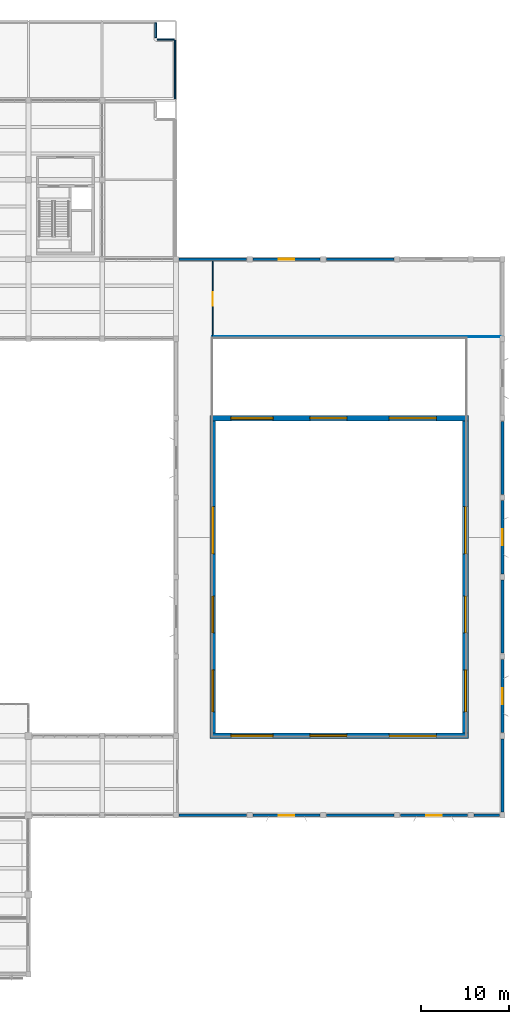
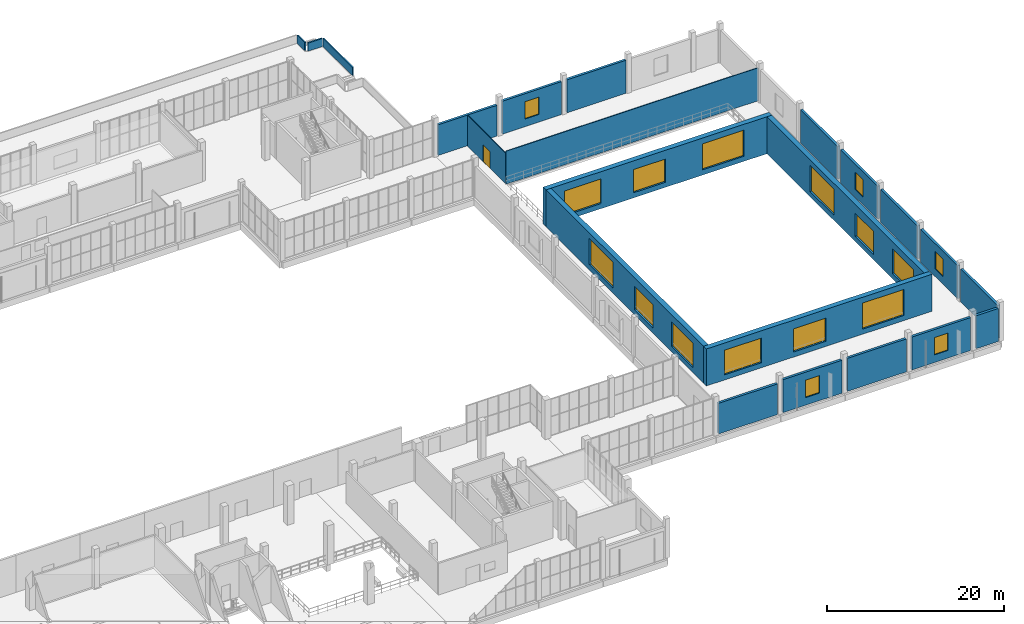
# One storey, part 117 of 132: 22 walls, 17 windows, 1 door, 18 openings.
"""IFC4 building model written with IfcOpenShell, lengths in metres."""

from ifc_helpers import new_model, si_unit, direction, frame, frame_2d, origin, place, context, subcontext, project, spatial, rectangle, extrude, material, layer, layer_set, type_object, element, fill, save


model = new_model("IFC4")

# Units and contexts
model_context = context("Model", 3, precision=1e-05, world=origin(), true_north=direction((0.0, 1.0)))
body_context = subcontext(model_context, "Body", "Model", "MODEL_VIEW")
ifc_project = project(units=[si_unit("LENGTHUNIT", "METRE"), si_unit("AREAUNIT", "SQUARE_METRE"), si_unit("VOLUMEUNIT", "CUBIC_METRE"), si_unit("PLANEANGLEUNIT", "RADIAN"), si_unit("MASSUNIT", "GRAM", prefix="KILO")], contexts=[model_context])

# Site, building, storey
site_placement = place(None, origin())
site = spatial("IfcSite", under=ifc_project, at=site_placement, CompositionType="ELEMENT")
building_placement = place(site_placement, origin())
building = spatial("IfcBuilding", under=site, at=building_placement, Name="Khurvash Pelagic Aquarium", CompositionType="ELEMENT")
storey_placement = place(building_placement, frame((0.0, 0.0, 5.39990234375)))
storey = spatial("IfcBuildingStorey", under=building, at=storey_placement, Name="L01", CompositionType="ELEMENT", Elevation=5.39990234375)

# Wall
ifc_material_1 = material(Name="Precast concrete C40/50", Category="concrete")
ifc_layer_1 = layer(ifc_material_1, 0.320068359375)
ifc_layer_set_1 = layer_set([ifc_layer_1], Name="Precast concrete C40/50")
wall_type_1 = type_object("IfcWallType", Name="EW-320", PredefinedType="STANDARD", material=ifc_layer_set_1)
wall_1_placement = place(storey_placement, frame((163.199951171875, 21.06005859375, 0.0), z_axis=(0.0, 0.0, 1.0), x_axis=(0.0, 1.0, 0.0)))
element("IfcWall", 1, at=wall_1_placement, inside=storey, type_object=wall_type_1, Name="L01 Ocean Tank Hall East Containment Wall EW-320 B1", PredefinedType="STANDARD", context=body_context, shape_type="SweptSolid", body=[
    extrude(rectangle(XDim=8.329833984375, YDim=0.320068359375, at=frame_2d((4.1650390625, 0.0))), origin(), (0.0, 0.0, 1.0), 4.550048828125),
])

# Wall, opening, window
wall_2_placement = place(storey_placement, frame((163.199951171875, 30.110107421875, 0.0), z_axis=(0.0, 0.0, 1.0), x_axis=(0.0, 1.0, 0.0)))
wall_2 = element("IfcWall", 2, at=wall_2_placement, inside=storey, type_object=wall_type_1, Name="L01 Ocean Tank Hall East Containment Wall EW-320 B2", PredefinedType="STANDARD", context=body_context, shape_type="SweptSolid", body=[
    extrude(rectangle(XDim=8.329833984375, YDim=0.320068359375, at=frame_2d((4.1650390625, 0.0))), origin(), (0.0, 0.0, 1.0), 4.550048828125),
])
opening_1_placement = place(wall_2_placement, frame((3.264892578125, 0.0, 1.050048828125)))
opening_1 = element("IfcOpeningElement", 3, at=opening_1_placement, cuts=wall_2, Name="Opening WN-01", PredefinedType="OPENING", context=body_context, shape_type="SweptSolid", body=[
    extrude(rectangle(XDim=1.800048828125, YDim=2.39990234375, at=frame_2d((0.89990234375, 1.199951171875))), frame((0.0, 0.169921875, 0.0), z_axis=(0.0, -1.0, 0.0), x_axis=(1.0, 0.0, 0.0)), (0.0, 0.0, 1.0), 0.340087890625),
])
ifc_material_2 = material(Name="Thermally broken aluminium and low-E glass", Category="aluminium")
window_type_1 = type_object("IfcWindowType", Name="WN-01", PartitioningType="SINGLE_PANEL", PredefinedType="WINDOW", material=ifc_material_2)
window_1_placement = place(opening_1_placement, origin())
window_1 = element("IfcWindow", 4, at=window_1_placement, inside=storey, type_object=window_type_1, Name="L01 Ocean Hall Deep-Set Oceanic Portal Window WN-01", OverallHeight=2.39990234375, OverallWidth=1.800048828125, PartitioningType="SINGLE_PANEL", PredefinedType="WINDOW", context=body_context, shape_type="SweptSolid", body=[
    extrude(rectangle(XDim=1.800048828125, YDim=2.39990234375, at=frame_2d((0.89990234375, 1.199951171875))), frame((0.0, 0.030029296875, 0.0), z_axis=(0.0, -1.0, 0.0), x_axis=(1.0, 0.0, 0.0)), (0.0, 0.0, 1.0), 0.06005859375),
])
fill(opening_1, window_1)

# Wall
wall_3_placement = place(storey_placement, frame((163.199951171875, 39.159912109375, 0.0), z_axis=(0.0, 0.0, 1.0), x_axis=(0.0, 1.0, 0.0)))
element("IfcWall", 5, at=wall_3_placement, inside=storey, type_object=wall_type_1, Name="L01 Ocean Tank Hall East Containment Wall EW-320 B3", PredefinedType="STANDARD", context=body_context, shape_type="SweptSolid", body=[
    extrude(rectangle(XDim=8.330078125, YDim=0.320068359375, at=frame_2d((4.1650390625, 0.0))), origin(), (0.0, 0.0, 1.0), 4.550048828125),
])

# Wall, opening, window
wall_4_placement = place(storey_placement, frame((163.199951171875, 48.2099609375, 0.0), z_axis=(0.0, 0.0, 1.0), x_axis=(0.0, 1.0, 0.0)))
wall_4 = element("IfcWall", 6, at=wall_4_placement, inside=storey, type_object=wall_type_1, Name="L01 Ocean Tank Hall East Containment Wall EW-320 B4", PredefinedType="STANDARD", context=body_context, shape_type="SweptSolid", body=[
    extrude(rectangle(XDim=8.330078125, YDim=0.320068359375, at=frame_2d((4.1650390625, 0.0))), origin(), (0.0, 0.0, 1.0), 4.550048828125),
])
opening_2_placement = place(wall_4_placement, frame((3.264892578125, 0.0, 1.050048828125)))
opening_2 = element("IfcOpeningElement", 7, at=opening_2_placement, cuts=wall_4, Name="Opening WN-01", PredefinedType="OPENING", context=body_context, shape_type="SweptSolid", body=[
    extrude(rectangle(XDim=1.800048828125, YDim=2.39990234375, at=frame_2d((0.89990234375, 1.199951171875))), frame((0.0, 0.169921875, 0.0), z_axis=(0.0, -1.0, 0.0), x_axis=(1.0, 0.0, 0.0)), (0.0, 0.0, 1.0), 0.340087890625),
])
window_2_placement = place(opening_2_placement, origin())
window_2 = element("IfcWindow", 8, at=window_2_placement, inside=storey, type_object=window_type_1, Name="L01 Ocean Hall Deep-Set Oceanic Portal Window WN-01", OverallHeight=2.39990234375, OverallWidth=1.800048828125, PartitioningType="SINGLE_PANEL", PredefinedType="WINDOW", context=body_context, shape_type="SweptSolid", body=[
    extrude(rectangle(XDim=1.800048828125, YDim=2.39990234375, at=frame_2d((0.89990234375, 1.199951171875))), frame((0.0, 0.030029296875, 0.0), z_axis=(0.0, -1.0, 0.0), x_axis=(1.0, 0.0, 0.0)), (0.0, 0.0, 1.0), 0.06005859375),
])
fill(opening_2, window_2)

# Walls
wall_5_placement = place(storey_placement, frame((163.199951171875, 57.260009765625, 0.0), z_axis=(0.0, 0.0, 1.0), x_axis=(0.0, 1.0, 0.0)))
element("IfcWall", 9, at=wall_5_placement, inside=storey, type_object=wall_type_1, Name="L01 Ocean Tank Hall East Containment Wall EW-320 B5", PredefinedType="STANDARD", context=body_context, shape_type="SweptSolid", body=[
    extrude(rectangle(XDim=8.330078125, YDim=0.320068359375, at=frame_2d((4.1650390625, 0.0))), origin(), (0.0, 0.0, 1.0), 4.550048828125),
])
wall_6_placement = place(storey_placement, frame((126.360107421875, 20.699951171875, 0.0), z_axis=(0.0, 0.0, 1.0), x_axis=(1.0, 0.0, 0.0)))
element("IfcWall", 10, at=wall_6_placement, inside=storey, type_object=wall_type_1, Name="L01 Ocean Tank Hall South Containment Wall EW-320 B1.1", PredefinedType="STANDARD", context=body_context, shape_type="SweptSolid", body=[
    extrude(rectangle(XDim=7.679931640625, YDim=0.320068359375, at=frame_2d((3.83984375, 0.0))), origin(), (0.0, 0.0, 1.0), 4.22998046875),
])

# Wall, opening, window
wall_7_placement = place(storey_placement, frame((134.760009765625, 20.699951171875, 0.0), z_axis=(0.0, 0.0, 1.0), x_axis=(1.0, 0.0, 0.0)))
wall_7 = element("IfcWall", 11, at=wall_7_placement, inside=storey, type_object=wall_type_1, Name="L01 Ocean Tank Hall South Containment Wall EW-320 B2.1", PredefinedType="STANDARD", context=body_context, shape_type="SweptSolid", body=[
    extrude(rectangle(XDim=7.679931640625, YDim=0.320068359375, at=frame_2d((3.83984375, 0.0))), origin(), (0.0, 0.0, 1.0), 4.550048828125),
])
opening_3_placement = place(wall_7_placement, frame((2.93994140625, 0.0, 1.050048828125)))
opening_3 = element("IfcOpeningElement", 12, at=opening_3_placement, cuts=wall_7, Name="Opening WN-01", PredefinedType="OPENING", context=body_context, shape_type="SweptSolid", body=[
    extrude(rectangle(XDim=1.800048828125, YDim=2.39990234375, at=frame_2d((0.89990234375, 1.199951171875))), frame((0.0, 0.169921875, 0.0), z_axis=(0.0, -1.0, 0.0), x_axis=(1.0, 0.0, 0.0)), (0.0, 0.0, 1.0), 0.340087890625),
])
window_3_placement = place(opening_3_placement, origin())
window_3 = element("IfcWindow", 13, at=window_3_placement, inside=storey, type_object=window_type_1, Name="L01 Ocean Hall South Viewing Portal Window WN-01", OverallHeight=2.39990234375, OverallWidth=1.800048828125, PartitioningType="SINGLE_PANEL", PredefinedType="WINDOW", context=body_context, shape_type="SweptSolid", body=[
    extrude(rectangle(XDim=1.800048828125, YDim=2.39990234375, at=frame_2d((0.89990234375, 1.199951171875))), frame((0.0, 0.030029296875, 0.0), z_axis=(0.0, -1.0, 0.0), x_axis=(1.0, 0.0, 0.0)), (0.0, 0.0, 1.0), 0.06005859375),
])
fill(opening_3, window_3)

# Wall
wall_8_placement = place(storey_placement, frame((143.159912109375, 20.699951171875, 0.0), z_axis=(0.0, 0.0, 1.0), x_axis=(1.0, 0.0, 0.0)))
element("IfcWall", 14, at=wall_8_placement, inside=storey, type_object=wall_type_1, Name="L01 Ocean Tank Hall South Containment Wall EW-320 B3.1", PredefinedType="STANDARD", context=body_context, shape_type="SweptSolid", body=[
    extrude(rectangle(XDim=7.68017578125, YDim=0.320068359375, at=frame_2d((3.840087890625, 0.0))), origin(), (0.0, 0.0, 1.0), 4.550048828125),
])

# Wall, opening, window
wall_9_placement = place(storey_placement, frame((151.56005859375, 20.699951171875, 0.0), z_axis=(0.0, 0.0, 1.0), x_axis=(1.0, 0.0, 0.0)))
wall_9 = element("IfcWall", 15, at=wall_9_placement, inside=storey, type_object=wall_type_1, Name="L01 Ocean Tank Hall South Containment Wall EW-320 B4.1", PredefinedType="STANDARD", context=body_context, shape_type="SweptSolid", body=[
    extrude(rectangle(XDim=7.679931640625, YDim=0.320068359375, at=frame_2d((3.83984375, 0.0))), origin(), (0.0, 0.0, 1.0), 4.550048828125),
])
opening_4_placement = place(wall_9_placement, frame((2.93994140625, 0.0, 1.050048828125)))
opening_4 = element("IfcOpeningElement", 16, at=opening_4_placement, cuts=wall_9, Name="Opening WN-01", PredefinedType="OPENING", context=body_context, shape_type="SweptSolid", body=[
    extrude(rectangle(XDim=1.800048828125, YDim=2.39990234375, at=frame_2d((0.89990234375, 1.199951171875))), frame((0.0, 0.169921875, 0.0), z_axis=(0.0, -1.0, 0.0), x_axis=(1.0, 0.0, 0.0)), (0.0, 0.0, 1.0), 0.340087890625),
])
window_4_placement = place(opening_4_placement, origin())
window_4 = element("IfcWindow", 17, at=window_4_placement, inside=storey, type_object=window_type_1, Name="L01 Ocean Hall South Viewing Portal Window WN-01", OverallHeight=2.39990234375, OverallWidth=1.800048828125, PartitioningType="SINGLE_PANEL", PredefinedType="WINDOW", context=body_context, shape_type="SweptSolid", body=[
    extrude(rectangle(XDim=1.800048828125, YDim=2.39990234375, at=frame_2d((0.89990234375, 1.199951171875))), frame((0.0, 0.030029296875, 0.0), z_axis=(0.0, -1.0, 0.0), x_axis=(1.0, 0.0, 0.0)), (0.0, 0.0, 1.0), 0.06005859375),
])
fill(opening_4, window_4)

# Walls
wall_10_placement = place(storey_placement, frame((159.9599609375, 20.699951171875, 0.0), z_axis=(0.0, 0.0, 1.0), x_axis=(1.0, 0.0, 0.0)))
element("IfcWall", 18, at=wall_10_placement, inside=storey, type_object=wall_type_1, Name="L01 Ocean Tank Hall South Containment Wall EW-320 B5.1", PredefinedType="STANDARD", context=body_context, shape_type="SweptSolid", body=[
    extrude(rectangle(XDim=2.880126953125, YDim=0.320068359375, at=frame_2d((1.43994140625, 0.0))), origin(), (0.0, 0.0, 1.0), 4.550048828125),
])
wall_11_placement = place(storey_placement, frame((134.0400390625, 84.050048828125, 0.0), z_axis=(0.0, 0.0, 1.0), x_axis=(-1.0, 0.0, 0.0)))
element("IfcWall", 19, at=wall_11_placement, inside=storey, type_object=wall_type_1, Name="L01 Ocean Tank Hall North Containment Wall EW-320 B1.1", PredefinedType="STANDARD", context=body_context, shape_type="SweptSolid", body=[
    extrude(rectangle(XDim=7.679931640625, YDim=0.320068359375, at=frame_2d((3.83984375, 0.0))), origin(), (0.0, 0.0, 1.0), 4.22998046875),
])

# Wall, opening, window
wall_12_placement = place(storey_placement, frame((142.43994140625, 84.050048828125, 0.0), z_axis=(0.0, 0.0, 1.0), x_axis=(-1.0, 0.0, 0.0)))
wall_12 = element("IfcWall", 20, at=wall_12_placement, inside=storey, type_object=wall_type_1, Name="L01 Ocean Tank Hall North Containment Wall EW-320 B2.1", PredefinedType="STANDARD", context=body_context, shape_type="SweptSolid", body=[
    extrude(rectangle(XDim=7.679931640625, YDim=0.320068359375, at=frame_2d((3.83984375, 0.0))), origin(), (0.0, 0.0, 1.0), 4.550048828125),
])
opening_5_placement = place(wall_12_placement, frame((2.93994140625, 0.0, 1.050048828125)))
opening_5 = element("IfcOpeningElement", 21, at=opening_5_placement, cuts=wall_12, Name="Opening WN-01", PredefinedType="OPENING", context=body_context, shape_type="SweptSolid", body=[
    extrude(rectangle(XDim=1.800048828125, YDim=2.39990234375, at=frame_2d((0.89990234375, 1.199951171875))), frame((0.0, 0.169921875, 0.0), z_axis=(0.0, -1.0, 0.0), x_axis=(1.0, 0.0, 0.0)), (0.0, 0.0, 1.0), 0.340087890625),
])
window_5_placement = place(opening_5_placement, origin())
window_5 = element("IfcWindow", 22, at=window_5_placement, inside=storey, type_object=window_type_1, Name="L01 Ocean Hall North Viewing Portal Window WN-01", OverallHeight=2.39990234375, OverallWidth=1.800048828125, PartitioningType="SINGLE_PANEL", PredefinedType="WINDOW", context=body_context, shape_type="SweptSolid", body=[
    extrude(rectangle(XDim=1.800048828125, YDim=2.39990234375, at=frame_2d((0.89990234375, 1.199951171875))), frame((0.0, 0.030029296875, 0.0), z_axis=(0.0, -1.0, 0.0), x_axis=(1.0, 0.0, 0.0)), (0.0, 0.0, 1.0), 0.06005859375),
])
fill(opening_5, window_5)

# Walls
wall_13_placement = place(storey_placement, frame((150.840087890625, 84.050048828125, 0.0), z_axis=(0.0, 0.0, 1.0), x_axis=(-1.0, 0.0, 0.0)))
element("IfcWall", 23, at=wall_13_placement, inside=storey, type_object=wall_type_1, Name="L01 Ocean Tank Hall North Containment Wall EW-320 B3.1", PredefinedType="STANDARD", context=body_context, shape_type="SweptSolid", body=[
    extrude(rectangle(XDim=7.68017578125, YDim=0.320068359375, at=frame_2d((3.840087890625, 0.0))), origin(), (0.0, 0.0, 1.0), 4.550048828125),
])
ifc_layer_2 = layer(ifc_material_1, 0.179931640625)
ifc_layer_set_2 = layer_set([ifc_layer_2], Name="Precast concrete C40/50")
wall_type_2 = type_object("IfcWallType", Name="PP-180", PredefinedType="PARAPET", material=ifc_layer_set_2)
wall_14_placement = place(storey_placement, frame((123.699951171875, 111.0, 0.0), z_axis=(0.0, 0.0, 1.0), x_axis=(0.0, -1.0, 0.0)))
element("IfcWall", 24, at=wall_14_placement, inside=storey, type_object=wall_type_2, Name="L01 Roof Perimeter Parapet Wall PP-180", PredefinedType="PARAPET", context=body_context, shape_type="SweptSolid", body=[
    extrude(rectangle(XDim=1.699951171875, YDim=0.179931640625, at=frame_2d((0.85009765625, 0.0))), origin(), (0.0, 0.0, 1.0), 1.1201171875),
])
wall_15_placement = place(storey_placement, frame((123.89990234375, 109.10009765625, 0.0), z_axis=(0.0, 0.0, 1.0), x_axis=(1.0, 0.0, 0.0)))
element("IfcWall", 25, at=wall_15_placement, inside=storey, type_object=wall_type_2, Name="L01 Roof Perimeter Parapet Wall PP-180", PredefinedType="PARAPET", context=body_context, shape_type="SweptSolid", body=[
    extrude(rectangle(XDim=1.900146484375, YDim=0.179931640625, at=frame_2d((0.9501953125, 0.0))), origin(), (0.0, 0.0, 1.0), 1.1201171875),
])
wall_16_placement = place(storey_placement, frame((125.89990234375, 109.0, 0.0), z_axis=(0.0, 0.0, 1.0), x_axis=(0.0, -1.0, 0.0)))
element("IfcWall", 26, at=wall_16_placement, inside=storey, type_object=wall_type_2, Name="L01 Roof Perimeter Parapet Wall PP-180", PredefinedType="PARAPET", context=body_context, shape_type="SweptSolid", body=[
    extrude(rectangle(XDim=6.64990234375, YDim=0.179931640625, at=frame_2d((3.324951171875, 0.0))), origin(), (0.0, 0.0, 1.0), 1.1201171875),
])

# Wall, opening, door
ifc_material_3 = material(Name="Ceramic-tiled wet-room partition", Category="masonry")
ifc_layer_3 = layer(ifc_material_3, 0.110107421875)
ifc_layer_set_3 = layer_set([ifc_layer_3], Name="Ceramic-tiled wet-room partition")
wall_type_3 = type_object("IfcWallType", Name="PW-110", PredefinedType="PARTITIONING", material=ifc_layer_set_3)
wall_17_placement = place(storey_placement, frame((130.199951171875, 75.2548828125, 0.0), z_axis=(0.0, 0.0, 1.0), x_axis=(0.0, 1.0, 0.0)))
wall_17 = element("IfcWall", 27, at=wall_17_placement, inside=storey, type_object=wall_type_3, Name="L01 Ocean Hall North Mezzanine Gallery Partition Wall PW-110", PredefinedType="PARTITIONING", context=body_context, shape_type="SweptSolid", body=[
    extrude(rectangle(XDim=8.5400390625, YDim=0.110107421875, at=frame_2d((4.27001953125, 0.0))), origin(), (0.0, 0.0, 1.0), 4.22998046875),
])
opening_6_placement = place(wall_17_placement, frame((3.489990234375, 0.0, 0.0)))
opening_6 = element("IfcOpeningElement", 28, at=opening_6_placement, cuts=wall_17, Name="Opening ID-44", PredefinedType="OPENING", context=body_context, shape_type="SweptSolid", body=[
    extrude(rectangle(XDim=1.56005859375, YDim=2.320068359375, at=frame_2d((0.780029296875, 1.16015625))), frame((0.0, 0.06494140625, 0.0), z_axis=(0.0, -1.0, 0.0), x_axis=(1.0, 0.0, 0.0)), (0.0, 0.0, 1.0), 0.130126953125),
])
ifc_material_4 = material(Name="Seminar foyer double door", Category="wood")
door_type = type_object("IfcDoorType", Name="ID-44", OperationType="DOUBLE_DOOR_SINGLE_SWING", PredefinedType="DOOR", material=ifc_material_4)
door_placement = place(opening_6_placement, frame((1.56005859375, 0.0, 0.0), z_axis=(0.0, 0.0, 1.0), x_axis=(-1.0, 0.0, 0.0)))
door = element("IfcDoor", 29, at=door_placement, inside=storey, type_object=door_type, Name="DR-0119", OperationType="DOUBLE_DOOR_SINGLE_SWING", OverallHeight=2.320068359375, OverallWidth=1.56005859375, PredefinedType="DOOR", context=body_context, shape_type="SweptSolid", body=[
    extrude(rectangle(XDim=1.56005859375, YDim=2.320068359375, at=frame_2d((0.780029296875, 1.16015625))), frame((0.0, 0.02490234375, 0.0), z_axis=(0.0, -1.0, 0.0), x_axis=(1.0, 0.0, 0.0)), (0.0, 0.0, 1.0), 0.050048828125),
])
fill(opening_6, door)

# Wall
wall_18_placement = place(storey_placement, frame((130.14501953125, 75.199951171875, 0.0), z_axis=(0.0, 0.0, 1.0), x_axis=(1.0, 0.0, 0.0)))
element("IfcWall", 30, at=wall_18_placement, inside=storey, type_object=wall_type_3, Name="L01 Ocean Hall North Mezzanine Gallery Partition Wall PW-110", PredefinedType="PARTITIONING", context=body_context, shape_type="SweptSolid", body=[
    extrude(rectangle(XDim=32.909912109375, YDim=0.110107421875, at=frame_2d((16.455078125, 0.0))), origin(), (0.0, 0.0, 1.0), 4.550048828125),
])

# Wall, openings, windows
ifc_material_5 = material(Name="Water-retaining concrete C40/50", Category="concrete")
ifc_layer_4 = layer(ifc_material_5, 0.64990234375)
ifc_layer_set_4 = layer_set([ifc_layer_4], Name="Water-retaining concrete C40/50")
wall_type_4 = type_object("IfcWallType", Name="TW-650", PredefinedType="SOLIDWALL", material=ifc_layer_set_4)
wall_19_placement = place(storey_placement, frame((129.875, 29.75, 0.0), z_axis=(0.0, 0.0, 1.0), x_axis=(1.0, 0.0, 0.0)))
wall_19 = element("IfcWall", 31, at=wall_19_placement, inside=storey, type_object=wall_type_4, Name="L01 Ocean Tank South Containment Wall TW-650", PredefinedType="SOLIDWALL", context=body_context, shape_type="SweptSolid", body=[
    extrude(rectangle(XDim=29.449951171875, YDim=0.64990234375, at=frame_2d((14.72509765625, 0.0))), origin(), (0.0, 0.0, 1.0), 5.10009765625),
])
opening_7_placement = place(wall_19_placement, frame((2.39990234375, 0.0, 0.7001953125)))
opening_7 = element("IfcOpeningElement", 32, at=opening_7_placement, cuts=wall_19, Name="Opening VW-02", PredefinedType="OPENING", context=body_context, shape_type="SweptSolid", body=[
    extrude(rectangle(XDim=4.800048828125, YDim=3.39990234375, at=frame_2d((2.39990234375, 1.699951171875))), frame((0.0, 0.3349609375, 0.0), z_axis=(0.0, -1.0, 0.0), x_axis=(1.0, 0.0, 0.0)), (0.0, 0.0, 1.0), 0.669921875),
])
opening_8_placement = place(wall_19_placement, frame((11.39990234375, 0.0, 0.7001953125)))
opening_8 = element("IfcOpeningElement", 33, at=opening_8_placement, cuts=wall_19, Name="Opening VW-03", PredefinedType="OPENING", context=body_context, shape_type="SweptSolid", body=[
    extrude(rectangle(XDim=4.199951171875, YDim=3.199951171875, at=frame_2d((2.10009765625, 1.60009765625))), frame((0.0, 0.3349609375, 0.0), z_axis=(0.0, -1.0, 0.0), x_axis=(1.0, 0.0, 0.0)), (0.0, 0.0, 1.0), 0.669921875),
])
opening_9_placement = place(wall_19_placement, frame((20.39990234375, 0.0, 0.7001953125)))
opening_9 = element("IfcOpeningElement", 34, at=opening_9_placement, cuts=wall_19, Name="Opening VW-01", PredefinedType="OPENING", context=body_context, shape_type="SweptSolid", body=[
    extrude(rectangle(XDim=5.39990234375, YDim=3.60009765625, at=frame_2d((2.699951171875, 1.800048828125))), frame((0.0, 0.3349609375, 0.0), z_axis=(0.0, -1.0, 0.0), x_axis=(1.0, 0.0, 0.0)), (0.0, 0.0, 1.0), 0.669921875),
])
ifc_material_6 = material(Name="Monolithic cast polymethyl methacrylate PMMA", Category="glass")
window_type_2 = type_object("IfcWindowType", Name="VW-01", PartitioningType="SINGLE_PANEL", PredefinedType="WINDOW", material=ifc_material_6)
window_6_placement = place(opening_9_placement, origin())
window_6 = element("IfcWindow", 35, at=window_6_placement, inside=storey, type_object=window_type_2, Name="L01 Ocean Tank Cast-PMMA Viewing Portal VW-01", OverallHeight=3.60009765625, OverallWidth=5.39990234375, PartitioningType="SINGLE_PANEL", PredefinedType="WINDOW", context=body_context, shape_type="SweptSolid", body=[
    extrude(rectangle(XDim=5.39990234375, YDim=3.60009765625, at=frame_2d((2.699951171875, 1.800048828125))), frame((0.0, 0.1201171875, 0.0), z_axis=(0.0, -1.0, 0.0), x_axis=(1.0, 0.0, 0.0)), (0.0, 0.0, 1.0), 0.239990234375),
])
fill(opening_9, window_6)
window_type_3 = type_object("IfcWindowType", Name="VW-02", PartitioningType="SINGLE_PANEL", PredefinedType="WINDOW", material=ifc_material_6)
window_7_placement = place(opening_7_placement, origin())
window_7 = element("IfcWindow", 36, at=window_7_placement, inside=storey, type_object=window_type_3, Name="L01 Ocean Tank Cast-PMMA Viewing Portal VW-02", OverallHeight=3.39990234375, OverallWidth=4.800048828125, PartitioningType="SINGLE_PANEL", PredefinedType="WINDOW", context=body_context, shape_type="SweptSolid", body=[
    extrude(rectangle(XDim=4.800048828125, YDim=3.39990234375, at=frame_2d((2.39990234375, 1.699951171875))), frame((0.0, 0.10986328125, 0.0), z_axis=(0.0, -1.0, 0.0), x_axis=(1.0, 0.0, 0.0)), (0.0, 0.0, 1.0), 0.219970703125),
])
fill(opening_7, window_7)
window_type_4 = type_object("IfcWindowType", Name="VW-03", PartitioningType="SINGLE_PANEL", PredefinedType="WINDOW", material=ifc_material_6)
window_8_placement = place(opening_8_placement, origin())
window_8 = element("IfcWindow", 37, at=window_8_placement, inside=storey, type_object=window_type_4, Name="L01 Ocean Tank Cast-PMMA Viewing Portal VW-03", OverallHeight=3.199951171875, OverallWidth=4.199951171875, PartitioningType="SINGLE_PANEL", PredefinedType="WINDOW", context=body_context, shape_type="SweptSolid", body=[
    extrude(rectangle(XDim=4.199951171875, YDim=3.199951171875, at=frame_2d((2.10009765625, 1.60009765625))), frame((0.0, 0.10009765625, 0.0), z_axis=(0.0, -1.0, 0.0), x_axis=(1.0, 0.0, 0.0)), (0.0, 0.0, 1.0), 0.199951171875),
])
fill(opening_8, window_8)

wall_20_placement = place(storey_placement, frame((129.875, 65.949951171875, 0.0), z_axis=(0.0, 0.0, 1.0), x_axis=(1.0, 0.0, 0.0)))
wall_20 = element("IfcWall", 38, at=wall_20_placement, inside=storey, type_object=wall_type_4, Name="L01 Ocean Tank North Containment Wall TW-650", PredefinedType="SOLIDWALL", context=body_context, shape_type="SweptSolid", body=[
    extrude(rectangle(XDim=29.449951171875, YDim=0.64990234375, at=frame_2d((14.72509765625, 0.0))), origin(), (0.0, 0.0, 1.0), 5.10009765625),
])
opening_10_placement = place(wall_20_placement, frame((2.39990234375, 0.0, 0.7001953125)))
opening_10 = element("IfcOpeningElement", 39, at=opening_10_placement, cuts=wall_20, Name="Opening VW-02", PredefinedType="OPENING", context=body_context, shape_type="SweptSolid", body=[
    extrude(rectangle(XDim=4.800048828125, YDim=3.39990234375, at=frame_2d((2.39990234375, 1.699951171875))), frame((0.0, 0.3349609375, 0.0), z_axis=(0.0, -1.0, 0.0), x_axis=(1.0, 0.0, 0.0)), (0.0, 0.0, 1.0), 0.669921875),
])
opening_11_placement = place(wall_20_placement, frame((11.39990234375, 0.0, 0.7001953125)))
opening_11 = element("IfcOpeningElement", 40, at=opening_11_placement, cuts=wall_20, Name="Opening VW-03", PredefinedType="OPENING", context=body_context, shape_type="SweptSolid", body=[
    extrude(rectangle(XDim=4.199951171875, YDim=3.199951171875, at=frame_2d((2.10009765625, 1.60009765625))), frame((0.0, 0.3349609375, 0.0), z_axis=(0.0, -1.0, 0.0), x_axis=(1.0, 0.0, 0.0)), (0.0, 0.0, 1.0), 0.669921875),
])
opening_12_placement = place(wall_20_placement, frame((20.39990234375, 0.0, 0.7001953125)))
opening_12 = element("IfcOpeningElement", 41, at=opening_12_placement, cuts=wall_20, Name="Opening VW-01", PredefinedType="OPENING", context=body_context, shape_type="SweptSolid", body=[
    extrude(rectangle(XDim=5.39990234375, YDim=3.60009765625, at=frame_2d((2.699951171875, 1.800048828125))), frame((0.0, 0.3349609375, 0.0), z_axis=(0.0, -1.0, 0.0), x_axis=(1.0, 0.0, 0.0)), (0.0, 0.0, 1.0), 0.669921875),
])
window_9_placement = place(opening_12_placement, origin())
window_9 = element("IfcWindow", 42, at=window_9_placement, inside=storey, type_object=window_type_2, Name="L01 Ocean Tank Cast-PMMA Viewing Portal VW-01", OverallHeight=3.60009765625, OverallWidth=5.39990234375, PartitioningType="SINGLE_PANEL", PredefinedType="WINDOW", context=body_context, shape_type="SweptSolid", body=[
    extrude(rectangle(XDim=5.39990234375, YDim=3.60009765625, at=frame_2d((2.699951171875, 1.800048828125))), frame((0.0, 0.1201171875, 0.0), z_axis=(0.0, -1.0, 0.0), x_axis=(1.0, 0.0, 0.0)), (0.0, 0.0, 1.0), 0.239990234375),
])
fill(opening_12, window_9)
window_10_placement = place(opening_10_placement, origin())
window_10 = element("IfcWindow", 43, at=window_10_placement, inside=storey, type_object=window_type_3, Name="L01 Ocean Tank Cast-PMMA Viewing Portal VW-02", OverallHeight=3.39990234375, OverallWidth=4.800048828125, PartitioningType="SINGLE_PANEL", PredefinedType="WINDOW", context=body_context, shape_type="SweptSolid", body=[
    extrude(rectangle(XDim=4.800048828125, YDim=3.39990234375, at=frame_2d((2.39990234375, 1.699951171875))), frame((0.0, 0.10986328125, 0.0), z_axis=(0.0, -1.0, 0.0), x_axis=(1.0, 0.0, 0.0)), (0.0, 0.0, 1.0), 0.219970703125),
])
fill(opening_10, window_10)
window_11_placement = place(opening_11_placement, origin())
window_11 = element("IfcWindow", 44, at=window_11_placement, inside=storey, type_object=window_type_4, Name="L01 Ocean Tank Cast-PMMA Viewing Portal VW-03", OverallHeight=3.199951171875, OverallWidth=4.199951171875, PartitioningType="SINGLE_PANEL", PredefinedType="WINDOW", context=body_context, shape_type="SweptSolid", body=[
    extrude(rectangle(XDim=4.199951171875, YDim=3.199951171875, at=frame_2d((2.10009765625, 1.60009765625))), frame((0.0, 0.10009765625, 0.0), z_axis=(0.0, -1.0, 0.0), x_axis=(1.0, 0.0, 0.0)), (0.0, 0.0, 1.0), 0.199951171875),
])
fill(opening_11, window_11)

wall_21_placement = place(storey_placement, frame((130.199951171875, 30.074951171875, 0.0), z_axis=(0.0, 0.0, 1.0), x_axis=(0.0, 1.0, 0.0)))
wall_21 = element("IfcWall", 45, at=wall_21_placement, inside=storey, type_object=wall_type_4, Name="L01 Ocean Tank West Containment Wall TW-650", PredefinedType="SOLIDWALL", context=body_context, shape_type="SweptSolid", body=[
    extrude(rectangle(XDim=35.550048828125, YDim=0.64990234375, at=frame_2d((17.77490234375, 0.0))), origin(), (0.0, 0.0, 1.0), 5.10009765625),
])
opening_13_placement = place(wall_21_placement, frame((2.39990234375, 0.0, 0.7001953125)))
opening_13 = element("IfcOpeningElement", 46, at=opening_13_placement, cuts=wall_21, Name="Opening VW-02", PredefinedType="OPENING", context=body_context, shape_type="SweptSolid", body=[
    extrude(rectangle(XDim=4.800048828125, YDim=3.39990234375, at=frame_2d((2.39990234375, 1.699951171875))), frame((0.0, 0.3349609375, 0.0), z_axis=(0.0, -1.0, 0.0), x_axis=(1.0, 0.0, 0.0)), (0.0, 0.0, 1.0), 0.669921875),
])
opening_14_placement = place(wall_21_placement, frame((11.39990234375, 0.0, 0.7001953125)))
opening_14 = element("IfcOpeningElement", 47, at=opening_14_placement, cuts=wall_21, Name="Opening VW-03", PredefinedType="OPENING", context=body_context, shape_type="SweptSolid", body=[
    extrude(rectangle(XDim=4.199951171875, YDim=3.199951171875, at=frame_2d((2.10009765625, 1.60009765625))), frame((0.0, 0.3349609375, 0.0), z_axis=(0.0, -1.0, 0.0), x_axis=(1.0, 0.0, 0.0)), (0.0, 0.0, 1.0), 0.669921875),
])
opening_15_placement = place(wall_21_placement, frame((20.39990234375, 0.0, 0.7001953125)))
opening_15 = element("IfcOpeningElement", 48, at=opening_15_placement, cuts=wall_21, Name="Opening VW-01", PredefinedType="OPENING", context=body_context, shape_type="SweptSolid", body=[
    extrude(rectangle(XDim=5.39990234375, YDim=3.60009765625, at=frame_2d((2.699951171875, 1.800048828125))), frame((0.0, 0.3349609375, 0.0), z_axis=(0.0, -1.0, 0.0), x_axis=(1.0, 0.0, 0.0)), (0.0, 0.0, 1.0), 0.669921875),
])
window_12_placement = place(opening_15_placement, origin())
window_12 = element("IfcWindow", 49, at=window_12_placement, inside=storey, type_object=window_type_2, Name="L01 Ocean Tank Cast-PMMA Viewing Portal VW-01", OverallHeight=3.60009765625, OverallWidth=5.39990234375, PartitioningType="SINGLE_PANEL", PredefinedType="WINDOW", context=body_context, shape_type="SweptSolid", body=[
    extrude(rectangle(XDim=5.39990234375, YDim=3.60009765625, at=frame_2d((2.699951171875, 1.800048828125))), frame((0.0, 0.1201171875, 0.0), z_axis=(0.0, -1.0, 0.0), x_axis=(1.0, 0.0, 0.0)), (0.0, 0.0, 1.0), 0.239990234375),
])
fill(opening_15, window_12)
window_13_placement = place(opening_13_placement, origin())
window_13 = element("IfcWindow", 50, at=window_13_placement, inside=storey, type_object=window_type_3, Name="L01 Ocean Tank Cast-PMMA Viewing Portal VW-02", OverallHeight=3.39990234375, OverallWidth=4.800048828125, PartitioningType="SINGLE_PANEL", PredefinedType="WINDOW", context=body_context, shape_type="SweptSolid", body=[
    extrude(rectangle(XDim=4.800048828125, YDim=3.39990234375, at=frame_2d((2.39990234375, 1.699951171875))), frame((0.0, 0.10986328125, 0.0), z_axis=(0.0, -1.0, 0.0), x_axis=(1.0, 0.0, 0.0)), (0.0, 0.0, 1.0), 0.219970703125),
])
fill(opening_13, window_13)
window_14_placement = place(opening_14_placement, origin())
window_14 = element("IfcWindow", 51, at=window_14_placement, inside=storey, type_object=window_type_4, Name="L01 Ocean Tank Cast-PMMA Viewing Portal VW-03", OverallHeight=3.199951171875, OverallWidth=4.199951171875, PartitioningType="SINGLE_PANEL", PredefinedType="WINDOW", context=body_context, shape_type="SweptSolid", body=[
    extrude(rectangle(XDim=4.199951171875, YDim=3.199951171875, at=frame_2d((2.10009765625, 1.60009765625))), frame((0.0, 0.10009765625, 0.0), z_axis=(0.0, -1.0, 0.0), x_axis=(1.0, 0.0, 0.0)), (0.0, 0.0, 1.0), 0.199951171875),
])
fill(opening_14, window_14)

wall_22_placement = place(storey_placement, frame((159.0, 30.074951171875, 0.0), z_axis=(0.0, 0.0, 1.0), x_axis=(0.0, 1.0, 0.0)))
wall_22 = element("IfcWall", 52, at=wall_22_placement, inside=storey, type_object=wall_type_4, Name="L01 Ocean Tank East Containment Wall TW-650", PredefinedType="SOLIDWALL", context=body_context, shape_type="SweptSolid", body=[
    extrude(rectangle(XDim=35.550048828125, YDim=0.64990234375, at=frame_2d((17.77490234375, 0.0))), origin(), (0.0, 0.0, 1.0), 5.10009765625),
])
opening_16_placement = place(wall_22_placement, frame((2.39990234375, 0.0, 0.7001953125)))
opening_16 = element("IfcOpeningElement", 53, at=opening_16_placement, cuts=wall_22, Name="Opening VW-02", PredefinedType="OPENING", context=body_context, shape_type="SweptSolid", body=[
    extrude(rectangle(XDim=4.800048828125, YDim=3.39990234375, at=frame_2d((2.39990234375, 1.699951171875))), frame((0.0, 0.3349609375, 0.0), z_axis=(0.0, -1.0, 0.0), x_axis=(1.0, 0.0, 0.0)), (0.0, 0.0, 1.0), 0.669921875),
])
opening_17_placement = place(wall_22_placement, frame((11.39990234375, 0.0, 0.7001953125)))
opening_17 = element("IfcOpeningElement", 54, at=opening_17_placement, cuts=wall_22, Name="Opening VW-03", PredefinedType="OPENING", context=body_context, shape_type="SweptSolid", body=[
    extrude(rectangle(XDim=4.199951171875, YDim=3.199951171875, at=frame_2d((2.10009765625, 1.60009765625))), frame((0.0, 0.3349609375, 0.0), z_axis=(0.0, -1.0, 0.0), x_axis=(1.0, 0.0, 0.0)), (0.0, 0.0, 1.0), 0.669921875),
])
opening_18_placement = place(wall_22_placement, frame((20.39990234375, 0.0, 0.7001953125)))
opening_18 = element("IfcOpeningElement", 55, at=opening_18_placement, cuts=wall_22, Name="Opening VW-01", PredefinedType="OPENING", context=body_context, shape_type="SweptSolid", body=[
    extrude(rectangle(XDim=5.39990234375, YDim=3.60009765625, at=frame_2d((2.699951171875, 1.800048828125))), frame((0.0, 0.3349609375, 0.0), z_axis=(0.0, -1.0, 0.0), x_axis=(1.0, 0.0, 0.0)), (0.0, 0.0, 1.0), 0.669921875),
])
window_15_placement = place(opening_18_placement, origin())
window_15 = element("IfcWindow", 56, at=window_15_placement, inside=storey, type_object=window_type_2, Name="L01 Ocean Tank Cast-PMMA Viewing Portal VW-01", OverallHeight=3.60009765625, OverallWidth=5.39990234375, PartitioningType="SINGLE_PANEL", PredefinedType="WINDOW", context=body_context, shape_type="SweptSolid", body=[
    extrude(rectangle(XDim=5.39990234375, YDim=3.60009765625, at=frame_2d((2.699951171875, 1.800048828125))), frame((0.0, 0.1201171875, 0.0), z_axis=(0.0, -1.0, 0.0), x_axis=(1.0, 0.0, 0.0)), (0.0, 0.0, 1.0), 0.239990234375),
])
fill(opening_18, window_15)
window_16_placement = place(opening_16_placement, origin())
window_16 = element("IfcWindow", 57, at=window_16_placement, inside=storey, type_object=window_type_3, Name="L01 Ocean Tank Cast-PMMA Viewing Portal VW-02", OverallHeight=3.39990234375, OverallWidth=4.800048828125, PartitioningType="SINGLE_PANEL", PredefinedType="WINDOW", context=body_context, shape_type="SweptSolid", body=[
    extrude(rectangle(XDim=4.800048828125, YDim=3.39990234375, at=frame_2d((2.39990234375, 1.699951171875))), frame((0.0, 0.10986328125, 0.0), z_axis=(0.0, -1.0, 0.0), x_axis=(1.0, 0.0, 0.0)), (0.0, 0.0, 1.0), 0.219970703125),
])
fill(opening_16, window_16)
window_17_placement = place(opening_17_placement, origin())
window_17 = element("IfcWindow", 58, at=window_17_placement, inside=storey, type_object=window_type_4, Name="L01 Ocean Tank Cast-PMMA Viewing Portal VW-03", OverallHeight=3.199951171875, OverallWidth=4.199951171875, PartitioningType="SINGLE_PANEL", PredefinedType="WINDOW", context=body_context, shape_type="SweptSolid", body=[
    extrude(rectangle(XDim=4.199951171875, YDim=3.199951171875, at=frame_2d((2.10009765625, 1.60009765625))), frame((0.0, 0.10009765625, 0.0), z_axis=(0.0, -1.0, 0.0), x_axis=(1.0, 0.0, 0.0)), (0.0, 0.0, 1.0), 0.199951171875),
])
fill(opening_17, window_17)

save(model, "model.ifc")
